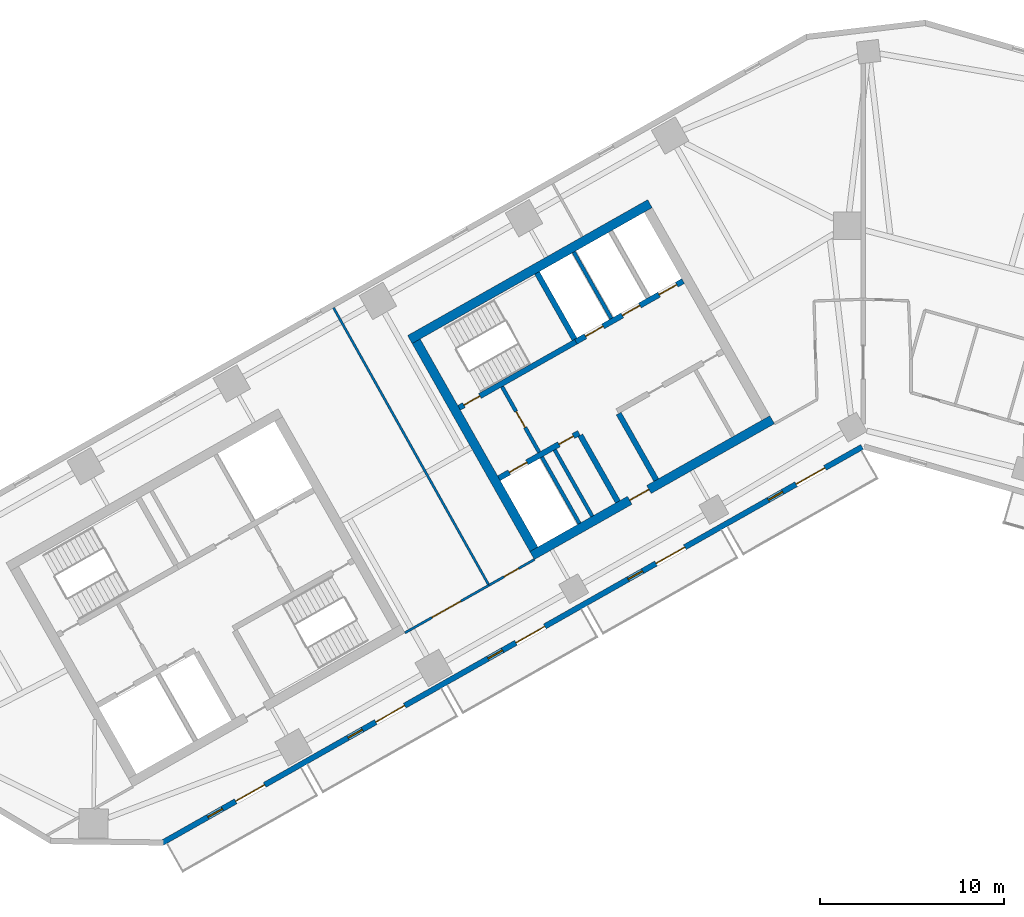
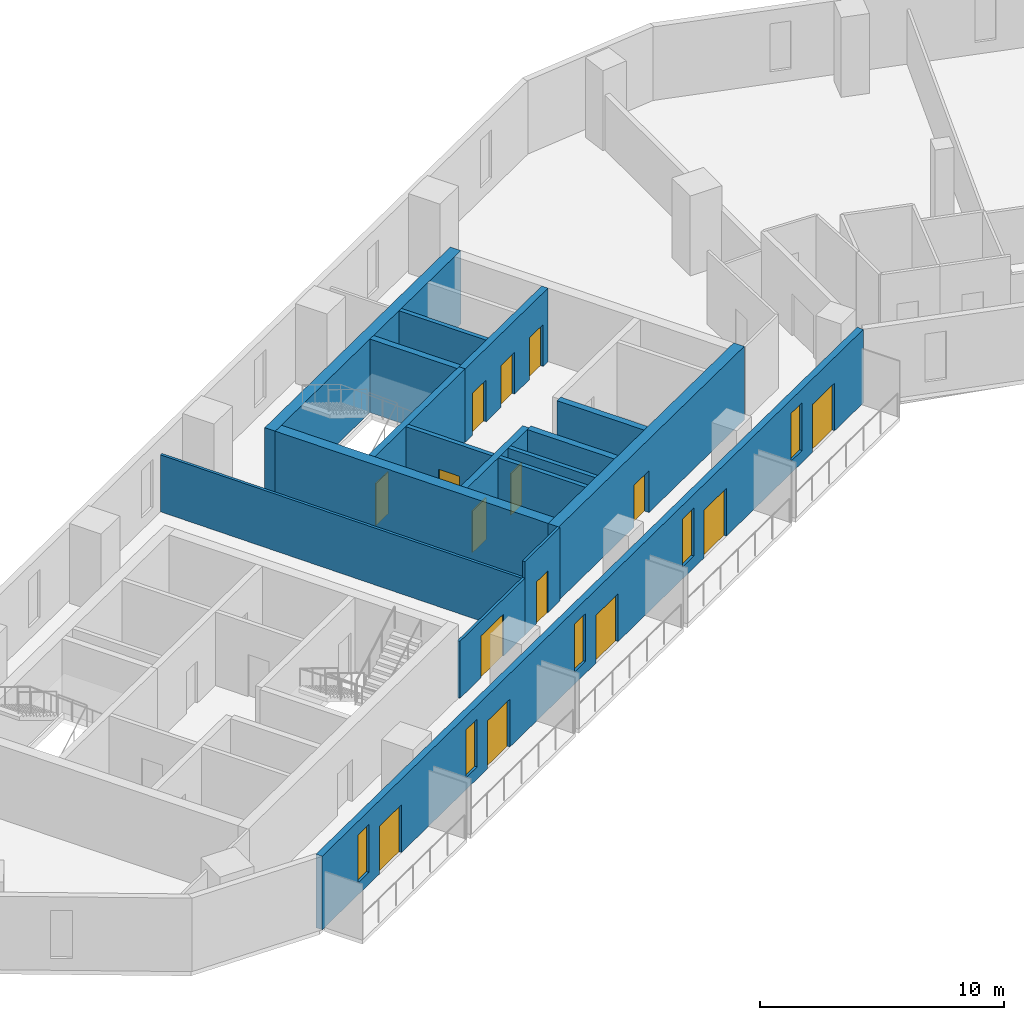
# One storey, part 4 of 9: 17 walls, 15 doors, 5 windows, 20 openings.
"""IFC4 building model written with IfcOpenShell, lengths in metres."""

from ifc_helpers import new_model, si_unit, direction, frame, frame_2d, origin, place, context, subcontext, project, spatial, rectangle, extrude, material, layer, layer_set, type_object, element, fill, save


model = new_model("IFC4")

# Units and contexts
model_context = context("Model", 3, precision=1e-05, world=origin(), true_north=direction((0.0, 1.0)))
body_context = subcontext(model_context, "Body", "Model", "MODEL_VIEW")
ifc_project = project(units=[si_unit("LENGTHUNIT", "METRE"), si_unit("AREAUNIT", "SQUARE_METRE"), si_unit("VOLUMEUNIT", "CUBIC_METRE"), si_unit("PLANEANGLEUNIT", "RADIAN"), si_unit("MASSUNIT", "GRAM", prefix="KILO")], contexts=[model_context])

# Site, building, storey
site_placement = place(None, origin())
site = spatial("IfcSite", under=ifc_project, at=site_placement, CompositionType="ELEMENT")
building_placement = place(site_placement, origin())
building = spatial("IfcBuilding", under=site, at=building_placement, Name="Binnacle Exchange Tower", CompositionType="ELEMENT")
storey_placement = place(building_placement, frame((0.0, 0.0, 182.89990234375)))
storey = spatial("IfcBuildingStorey", under=building, at=storey_placement, Name="L39", CompositionType="ELEMENT", Elevation=182.89990234375)

# Wall, openings, doors
ifc_material_1 = material(Name="Concrete C70/85", Category="concrete")
ifc_layer_1 = layer(ifc_material_1, 0.300048828125)
ifc_layer_set_1 = layer_set([ifc_layer_1], Name="Core wall - front 300")
wall_type_1 = type_object("IfcWallType", Name="Core wall - front 300", PredefinedType="SOLIDWALL", material=ifc_layer_set_1)
wall_1_placement = place(storey_placement, frame((-19.80517578125, 46.26708984375, 0.0), z_axis=(0.0, 0.0, 1.0), x_axis=(0.870353598469, 0.492427267353, 0.0)))
wall_1 = element("IfcWall", 1, at=wall_1_placement, inside=storey, type_object=wall_type_1, Name="Core wall CRWC2", PredefinedType="SOLIDWALL", context=body_context, shape_type="SweptSolid", body=[
    extrude(rectangle(XDim=5.0, YDim=0.300048828125, at=frame_2d((2.5, 0.0))), origin(), (0.0, 0.0, 1.0), 3.68017578125),
])
opening_1_placement = place(wall_1_placement, frame((0.64990234375, 0.0, 0.0)))
opening_1 = element("IfcOpeningElement", 2, at=opening_1_placement, cuts=wall_1, Name="Opening LD14", PredefinedType="OPENING", context=body_context, shape_type="SweptSolid", body=[
    extrude(rectangle(XDim=1.10009765625, YDim=2.10009765625, at=frame_2d((0.550048828125, 1.050048828125))), frame((0.0, 0.159912109375, 0.0), z_axis=(0.0, -1.0, 0.0), x_axis=(1.0, 0.0, 0.0)), (0.0, 0.0, 1.0), 0.320068359375),
])
opening_2_placement = place(wall_1_placement, frame((3.75, 0.0, 0.0)))
opening_2 = element("IfcOpeningElement", 3, at=opening_2_placement, cuts=wall_1, Name="Opening DC14", PredefinedType="OPENING", context=body_context, shape_type="SweptSolid", body=[
    extrude(rectangle(XDim=0.89990234375, YDim=2.10009765625, at=frame_2d((0.449951171875, 1.050048828125))), frame((0.0, 0.159912109375, 0.0), z_axis=(0.0, -1.0, 0.0), x_axis=(1.0, 0.0, 0.0)), (0.0, 0.0, 1.0), 0.320068359375),
])
ifc_material_2 = material(Name="Steel door leaf", Category="steel")
door_type_1 = type_object("IfcDoorType", Name="Fire door - lift landing 1100", OperationType="NOTDEFINED", PredefinedType="DOOR", material=ifc_material_2)
door_1_placement = place(opening_1_placement, origin())
door_1 = element("IfcDoor", 4, at=door_1_placement, inside=storey, type_object=door_type_1, Name="Landing door LD14 L39", OperationType="DOUBLE_DOOR_SLIDING", OverallHeight=2.10009765625, OverallWidth=1.10009765625, PredefinedType="DOOR", context=body_context, shape_type="SweptSolid", body=[
    extrude(rectangle(XDim=1.10009765625, YDim=2.10009765625, at=frame_2d((0.550048828125, 1.050048828125))), frame((0.0, 0.02490234375, 0.0), z_axis=(0.0, -1.0, 0.0), x_axis=(1.0, 0.0, 0.0)), (0.0, 0.0, 1.0), 0.050048828125),
])
fill(opening_1, door_1)
door_type_2 = type_object("IfcDoorType", Name="Fire door 900", OperationType="NOTDEFINED", PredefinedType="DOOR", material=ifc_material_2)
door_2_placement = place(opening_2_placement, frame((0.89990234375, 0.0, 0.0), z_axis=(0.0, 0.0, 1.0), x_axis=(-1.0, 0.0, 0.0)))
door_2 = element("IfcDoor", 5, at=door_2_placement, inside=storey, type_object=door_type_2, Name="Core room door IT STORE", OperationType="SINGLE_SWING_LEFT", OverallHeight=2.10009765625, OverallWidth=0.89990234375, PredefinedType="DOOR", context=body_context, shape_type="SweptSolid", body=[
    extrude(rectangle(XDim=0.89990234375, YDim=2.10009765625, at=frame_2d((0.449951171875, 1.050048828125))), frame((0.0, 0.02490234375, 0.0), z_axis=(0.0, -1.0, 0.0), x_axis=(1.0, 0.0, 0.0)), (0.0, 0.0, 1.0), 0.050048828125),
])
fill(opening_2, door_2)

wall_2_placement = place(storey_placement, frame((-15.6181640625, 53.69140625, 0.0), z_axis=(0.0, 0.0, 1.0), x_axis=(0.870363236066, 0.492410232738, 0.0)))
wall_2 = element("IfcWall", 6, at=wall_2_placement, inside=storey, type_object=wall_type_1, Name="Core wall CRWC5", PredefinedType="SOLIDWALL", context=body_context, shape_type="SweptSolid", body=[
    extrude(rectangle(XDim=6.699951171875, YDim=0.300048828125, at=frame_2d((3.35009765625, 0.0))), origin(), (0.0, 0.0, 1.0), 3.68017578125),
])
opening_3_placement = place(wall_2_placement, frame((0.60009765625, 0.0, 0.0)))
opening_3 = element("IfcOpeningElement", 7, at=opening_3_placement, cuts=wall_2, Name="Opening LD5", PredefinedType="OPENING", context=body_context, shape_type="SweptSolid", body=[
    extrude(rectangle(XDim=1.10009765625, YDim=2.10009765625, at=frame_2d((0.550048828125, 1.050048828125))), frame((0.0, 0.159912109375, 0.0), z_axis=(0.0, -1.0, 0.0), x_axis=(1.0, 0.0, 0.0)), (0.0, 0.0, 1.0), 0.320068359375),
])
opening_4_placement = place(wall_2_placement, frame((2.89990234375, 0.0, 0.0)))
opening_4 = element("IfcOpeningElement", 8, at=opening_4_placement, cuts=wall_2, Name="Opening LD6", PredefinedType="OPENING", context=body_context, shape_type="SweptSolid", body=[
    extrude(rectangle(XDim=1.10009765625, YDim=2.10009765625, at=frame_2d((0.550048828125, 1.050048828125))), frame((0.0, 0.159912109375, 0.0), z_axis=(0.0, -1.0, 0.0), x_axis=(1.0, 0.0, 0.0)), (0.0, 0.0, 1.0), 0.320068359375),
])
opening_5_placement = place(wall_2_placement, frame((5.199951171875, 0.0, 0.0)))
opening_5 = element("IfcOpeningElement", 9, at=opening_5_placement, cuts=wall_2, Name="Opening LD7", PredefinedType="OPENING", context=body_context, shape_type="SweptSolid", body=[
    extrude(rectangle(XDim=1.10009765625, YDim=2.10009765625, at=frame_2d((0.550048828125, 1.050048828125))), frame((0.0, 0.159912109375, 0.0), z_axis=(0.0, -1.0, 0.0), x_axis=(1.0, 0.0, 0.0)), (0.0, 0.0, 1.0), 0.320068359375),
])
door_3_placement = place(opening_3_placement, origin())
door_3 = element("IfcDoor", 10, at=door_3_placement, inside=storey, type_object=door_type_1, Name="Landing door LD5 L39", OperationType="DOUBLE_DOOR_SLIDING", OverallHeight=2.10009765625, OverallWidth=1.10009765625, PredefinedType="DOOR", context=body_context, shape_type="SweptSolid", body=[
    extrude(rectangle(XDim=1.10009765625, YDim=2.10009765625, at=frame_2d((0.550048828125, 1.050048828125))), frame((0.0, 0.02490234375, 0.0), z_axis=(0.0, -1.0, 0.0), x_axis=(1.0, 0.0, 0.0)), (0.0, 0.0, 1.0), 0.050048828125),
])
fill(opening_3, door_3)
door_4_placement = place(opening_4_placement, origin())
door_4 = element("IfcDoor", 11, at=door_4_placement, inside=storey, type_object=door_type_1, Name="Landing door LD6 L39", OperationType="DOUBLE_DOOR_SLIDING", OverallHeight=2.10009765625, OverallWidth=1.10009765625, PredefinedType="DOOR", context=body_context, shape_type="SweptSolid", body=[
    extrude(rectangle(XDim=1.10009765625, YDim=2.10009765625, at=frame_2d((0.550048828125, 1.050048828125))), frame((0.0, 0.02490234375, 0.0), z_axis=(0.0, -1.0, 0.0), x_axis=(1.0, 0.0, 0.0)), (0.0, 0.0, 1.0), 0.050048828125),
])
fill(opening_4, door_4)
door_5_placement = place(opening_5_placement, origin())
door_5 = element("IfcDoor", 12, at=door_5_placement, inside=storey, type_object=door_type_1, Name="Landing door LD7 L39", OperationType="DOUBLE_DOOR_SLIDING", OverallHeight=2.10009765625, OverallWidth=1.10009765625, PredefinedType="DOOR", context=body_context, shape_type="SweptSolid", body=[
    extrude(rectangle(XDim=1.10009765625, YDim=2.10009765625, at=frame_2d((0.550048828125, 1.050048828125))), frame((0.0, 0.02490234375, 0.0), z_axis=(0.0, -1.0, 0.0), x_axis=(1.0, 0.0, 0.0)), (0.0, 0.0, 1.0), 0.050048828125),
])
fill(opening_5, door_5)

# Walls
for number, where, z_axis, x_axis, name in (
    (13, (-15.37939453125, 48.5986328125, 0.0), (0.0, 0.0, 1.0), (0.492396453737, -0.870371031427, 0.0), "Core wall CRWC13"),
    (14, (-13.29052734375, 49.780517578125, 0.0), (0.0, 0.0, 1.0), (0.492396453737, -0.870371031427, 0.0), "Core wall CRWC15"),
):
    element("IfcWall", number, at=place(storey_placement, frame(where, z_axis=z_axis, x_axis=x_axis)), inside=storey, type_object=wall_type_1, Name=name, PredefinedType="SOLIDWALL", context=body_context, shape_type="SweptSolid", body=[
        extrude(rectangle(XDim=4.14990234375, YDim=0.300048828125, at=frame_2d((2.074951171875, 0.0))), origin(), (0.0, 0.0, 1.0), 3.68017578125),
    ])

# Wall, opening, door
ifc_layer_2 = layer(ifc_material_1, 0.5)
ifc_layer_set_2 = layer_set([ifc_layer_2], Name="Core wall - outer 500")
wall_type_2 = type_object("IfcWallType", Name="Core wall - outer 500", PredefinedType="SOLIDWALL", material=ifc_layer_set_2)
wall_3_placement = place(storey_placement, frame((-17.999755859375, 42.060791015625, 0.0), z_axis=(0.0, 0.0, 1.0), x_axis=(0.870356627484, 0.492421913601, 0.0)))
wall_3 = element("IfcWall", 15, at=wall_3_placement, inside=storey, type_object=wall_type_2, Name="Core wall CRWC1", PredefinedType="SOLIDWALL", context=body_context, shape_type="SweptSolid", body=[
    extrude(rectangle(XDim=14.999755859375, YDim=0.5, at=frame_2d((7.5, 0.0))), origin(), (0.0, 0.0, 1.0), 3.68017578125),
])
opening_6_placement = place(wall_3_placement, frame((6.10009765625, 0.0, 0.0)))
opening_6 = element("IfcOpeningElement", 16, at=opening_6_placement, cuts=wall_3, Name="Opening DC7", PredefinedType="OPENING", context=body_context, shape_type="SweptSolid", body=[
    extrude(rectangle(XDim=1.199951171875, YDim=2.10009765625, at=frame_2d((0.60009765625, 1.050048828125))), frame((0.0, 0.260009765625, 0.0), z_axis=(0.0, -1.0, 0.0), x_axis=(1.0, 0.0, 0.0)), (0.0, 0.0, 1.0), 0.52001953125),
])
door_type_3 = type_object("IfcDoorType", Name="Fire door 1200", OperationType="NOTDEFINED", PredefinedType="DOOR", material=ifc_material_2)
door_6_placement = place(opening_6_placement, frame((1.199951171875, 0.0, 0.0), z_axis=(0.0, 0.0, 1.0), x_axis=(-1.0, 0.0, 0.0)))
door_6 = element("IfcDoor", 17, at=door_6_placement, inside=storey, type_object=door_type_3, Name="Lift lobby entrance door core C", OperationType="SINGLE_SWING_RIGHT", OverallHeight=2.10009765625, OverallWidth=1.199951171875, PredefinedType="DOOR", context=body_context, shape_type="SweptSolid", body=[
    extrude(rectangle(XDim=1.199951171875, YDim=2.10009765625, at=frame_2d((0.60009765625, 1.050048828125))), frame((0.0, 0.02490234375, 0.0), z_axis=(0.0, -1.0, 0.0), x_axis=(1.0, 0.0, 0.0)), (0.0, 0.0, 1.0), 0.050048828125),
])
fill(opening_6, door_6)

# Walls
wall_4_placement = place(storey_placement, frame((-24.6474609375, 53.810546875, 0.0), z_axis=(0.0, 0.0, 1.0), x_axis=(0.87034965173, 0.492434243055, 0.0)))
element("IfcWall", 18, at=wall_4_placement, inside=storey, type_object=wall_type_2, Name="Core wall CRWC6", PredefinedType="SOLIDWALL", context=body_context, shape_type="SweptSolid", body=[
    extrude(rectangle(XDim=15.0, YDim=0.5, at=frame_2d((7.5, 0.0))), origin(), (0.0, 0.0, 1.0), 3.68017578125),
])
wall_5_placement = place(storey_placement, frame((-24.306884765625, 53.716064453125, 0.0), z_axis=(0.0, 0.0, 1.0), x_axis=(0.492427267353, -0.870353598469, 0.0)))
element("IfcWall", 19, at=wall_5_placement, inside=storey, type_object=wall_type_2, Name="Core wall CRWC7", PredefinedType="SOLIDWALL", context=body_context, shape_type="SweptSolid", body=[
    extrude(rectangle(XDim=13.0, YDim=0.5, at=frame_2d((6.5, 0.0))), origin(), (0.0, 0.0, 1.0), 3.68017578125),
])

# Wall, opening, door
ifc_layer_3 = layer(ifc_material_1, 0.300048828125)
ifc_layer_set_3 = layer_set([ifc_layer_3], Name="Core wall - stair 300")
wall_type_3 = type_object("IfcWallType", Name="Core wall - stair 300", PredefinedType="SOLIDWALL", material=ifc_layer_set_3)
wall_6_placement = place(storey_placement, frame((-21.9716796875, 50.0966796875, 0.0), z_axis=(0.0, 0.0, 1.0), x_axis=(0.870350976978, 0.492431900747, 0.0)))
wall_6 = element("IfcWall", 20, at=wall_6_placement, inside=storey, type_object=wall_type_3, Name="Core wall CRWC4", PredefinedType="SOLIDWALL", context=body_context, shape_type="SweptSolid", body=[
    extrude(rectangle(XDim=7.300048828125, YDim=0.300048828125, at=frame_2d((3.64990234375, 0.0))), origin(), (0.0, 0.0, 1.0), 3.68017578125),
])
opening_7_placement = place(wall_6_placement, frame((0.300048828125, 0.0, 0.0)))
opening_7 = element("IfcOpeningElement", 21, at=opening_7_placement, cuts=wall_6, Name="Opening DC1", PredefinedType="OPENING", context=body_context, shape_type="SweptSolid", body=[
    extrude(rectangle(XDim=1.0, YDim=2.10009765625, at=frame_2d((0.5, 1.050048828125))), frame((0.0, 0.159912109375, 0.0), z_axis=(0.0, -1.0, 0.0), x_axis=(1.0, 0.0, 0.0)), (0.0, 0.0, 1.0), 0.320068359375),
])
door_type_4 = type_object("IfcDoorType", Name="Fire door 1000", OperationType="NOTDEFINED", PredefinedType="DOOR", material=ifc_material_2)
door_7_placement = place(opening_7_placement, origin())
door_7 = element("IfcDoor", 22, at=door_7_placement, inside=storey, type_object=door_type_4, Name="Stair door ST-C1", OperationType="SINGLE_SWING_LEFT", OverallHeight=2.10009765625, OverallWidth=1.0, PredefinedType="DOOR", context=body_context, shape_type="SweptSolid", body=[
    extrude(rectangle(XDim=1.0, YDim=2.10009765625, at=frame_2d((0.5, 1.050048828125))), frame((0.0, 0.02490234375, 0.0), z_axis=(0.0, -1.0, 0.0), x_axis=(1.0, 0.0, 0.0)), (0.0, 0.0, 1.0), 0.050048828125),
])
fill(opening_7, door_7)

# Wall
wall_7_placement = place(storey_placement, frame((-17.735595703125, 57.433837890625, 0.0), z_axis=(0.0, 0.0, 1.0), x_axis=(0.492421666909, -0.870356767055, 0.0)))
element("IfcWall", 23, at=wall_7_placement, inside=storey, type_object=wall_type_3, Name="Core wall CRWC14", PredefinedType="SOLIDWALL", context=body_context, shape_type="SweptSolid", body=[
    extrude(rectangle(XDim=4.14990234375, YDim=0.300048828125, at=frame_2d((2.074951171875, 0.0))), origin(), (0.0, 0.0, 1.0), 3.68017578125),
])

# Wall, openings, doors, windows
ifc_material_3 = material(Name="Bronze aluminium cladding", Category="aluminium")
ifc_layer_4 = layer(ifc_material_3, 0.300048828125)
ifc_layer_set_4 = layer_set([ifc_layer_4], Name="External wall - spandrel 300")
wall_type_4 = type_object("IfcWallType", Name="External wall - spandrel 300", PredefinedType="STANDARD", material=ifc_layer_set_4)
wall_8_placement = place(storey_placement, frame((-0.0546875, 47.968994140625, 0.0), z_axis=(0.0, 0.0, 1.0), x_axis=(-0.870355730478, -0.492423499058, 0.0)))
wall_8 = element("IfcWall", 24, at=wall_8_placement, inside=storey, type_object=wall_type_4, Name="External wall EW-G01 L39", PredefinedType="STANDARD", context=body_context, shape_type="SweptSolid", body=[
    extrude(rectangle(XDim=43.750244140625, YDim=0.300048828125, at=frame_2d((21.875, 0.0))), origin(), (0.0, 0.0, 1.0), 3.68017578125),
])
opening_8_placement = place(wall_8_placement, frame((39.976806640625, 0.0, 0.60009765625)))
opening_8 = element("IfcOpeningElement", 25, at=opening_8_placement, cuts=wall_8, Name="Opening WS3", PredefinedType="OPENING", context=body_context, shape_type="SweptSolid", body=[
    extrude(rectangle(XDim=0.89990234375, YDim=2.39990234375, at=frame_2d((0.449951171875, 1.199951171875))), frame((0.0, 0.159912109375, 0.0), z_axis=(0.0, -1.0, 0.0), x_axis=(1.0, 0.0, 0.0)), (0.0, 0.0, 1.0), 0.320068359375),
])
opening_9_placement = place(wall_8_placement, frame((37.338134765625, 0.0, 0.0)))
opening_9 = element("IfcOpeningElement", 26, at=opening_9_placement, cuts=wall_8, Name="Opening D-FS11-01", PredefinedType="OPENING", context=body_context, shape_type="SweptSolid", body=[
    extrude(rectangle(XDim=1.800048828125, YDim=2.39990234375, at=frame_2d((0.89990234375, 1.199951171875))), frame((0.0, 0.159912109375, 0.0), z_axis=(0.0, -1.0, 0.0), x_axis=(1.0, 0.0, 0.0)), (0.0, 0.0, 1.0), 0.320068359375),
])
opening_10_placement = place(wall_8_placement, frame((31.222412109375, 0.0, 0.60009765625)))
opening_10 = element("IfcOpeningElement", 27, at=opening_10_placement, cuts=wall_8, Name="Opening WS3", PredefinedType="OPENING", context=body_context, shape_type="SweptSolid", body=[
    extrude(rectangle(XDim=0.89990234375, YDim=2.39990234375, at=frame_2d((0.449951171875, 1.199951171875))), frame((0.0, 0.159912109375, 0.0), z_axis=(0.0, -1.0, 0.0), x_axis=(1.0, 0.0, 0.0)), (0.0, 0.0, 1.0), 0.320068359375),
])
opening_11_placement = place(wall_8_placement, frame((28.583740234375, 0.0, 0.0)))
opening_11 = element("IfcOpeningElement", 28, at=opening_11_placement, cuts=wall_8, Name="Opening D-FS11-02", PredefinedType="OPENING", context=body_context, shape_type="SweptSolid", body=[
    extrude(rectangle(XDim=1.800048828125, YDim=2.39990234375, at=frame_2d((0.89990234375, 1.199951171875))), frame((0.0, 0.159912109375, 0.0), z_axis=(0.0, -1.0, 0.0), x_axis=(1.0, 0.0, 0.0)), (0.0, 0.0, 1.0), 0.320068359375),
])
opening_12_placement = place(wall_8_placement, frame((22.4677734375, 0.0, 0.60009765625)))
opening_12 = element("IfcOpeningElement", 29, at=opening_12_placement, cuts=wall_8, Name="Opening WS3", PredefinedType="OPENING", context=body_context, shape_type="SweptSolid", body=[
    extrude(rectangle(XDim=0.89990234375, YDim=2.39990234375, at=frame_2d((0.449951171875, 1.199951171875))), frame((0.0, 0.159912109375, 0.0), z_axis=(0.0, -1.0, 0.0), x_axis=(1.0, 0.0, 0.0)), (0.0, 0.0, 1.0), 0.320068359375),
])
opening_13_placement = place(wall_8_placement, frame((19.8291015625, 0.0, 0.0)))
opening_13 = element("IfcOpeningElement", 30, at=opening_13_placement, cuts=wall_8, Name="Opening D-FS11-03", PredefinedType="OPENING", context=body_context, shape_type="SweptSolid", body=[
    extrude(rectangle(XDim=1.800048828125, YDim=2.39990234375, at=frame_2d((0.89990234375, 1.199951171875))), frame((0.0, 0.159912109375, 0.0), z_axis=(0.0, -1.0, 0.0), x_axis=(1.0, 0.0, 0.0)), (0.0, 0.0, 1.0), 0.320068359375),
])
opening_14_placement = place(wall_8_placement, frame((13.713134765625, 0.0, 0.60009765625)))
opening_14 = element("IfcOpeningElement", 31, at=opening_14_placement, cuts=wall_8, Name="Opening WS3", PredefinedType="OPENING", context=body_context, shape_type="SweptSolid", body=[
    extrude(rectangle(XDim=0.89990234375, YDim=2.39990234375, at=frame_2d((0.449951171875, 1.199951171875))), frame((0.0, 0.159912109375, 0.0), z_axis=(0.0, -1.0, 0.0), x_axis=(1.0, 0.0, 0.0)), (0.0, 0.0, 1.0), 0.320068359375),
])
opening_15_placement = place(wall_8_placement, frame((11.07470703125, 0.0, 0.0)))
opening_15 = element("IfcOpeningElement", 32, at=opening_15_placement, cuts=wall_8, Name="Opening D-FS11-04", PredefinedType="OPENING", context=body_context, shape_type="SweptSolid", body=[
    extrude(rectangle(XDim=1.800048828125, YDim=2.39990234375, at=frame_2d((0.89990234375, 1.199951171875))), frame((0.0, 0.159912109375, 0.0), z_axis=(0.0, -1.0, 0.0), x_axis=(1.0, 0.0, 0.0)), (0.0, 0.0, 1.0), 0.320068359375),
])
opening_16_placement = place(wall_8_placement, frame((4.958740234375, 0.0, 0.60009765625)))
opening_16 = element("IfcOpeningElement", 33, at=opening_16_placement, cuts=wall_8, Name="Opening WS3", PredefinedType="OPENING", context=body_context, shape_type="SweptSolid", body=[
    extrude(rectangle(XDim=0.89990234375, YDim=2.39990234375, at=frame_2d((0.449951171875, 1.199951171875))), frame((0.0, 0.159912109375, 0.0), z_axis=(0.0, -1.0, 0.0), x_axis=(1.0, 0.0, 0.0)), (0.0, 0.0, 1.0), 0.320068359375),
])
opening_17_placement = place(wall_8_placement, frame((2.320068359375, 0.0, 0.0)))
opening_17 = element("IfcOpeningElement", 34, at=opening_17_placement, cuts=wall_8, Name="Opening D-FS11-05", PredefinedType="OPENING", context=body_context, shape_type="SweptSolid", body=[
    extrude(rectangle(XDim=1.800048828125, YDim=2.39990234375, at=frame_2d((0.89990234375, 1.199951171875))), frame((0.0, 0.159912109375, 0.0), z_axis=(0.0, -1.0, 0.0), x_axis=(1.0, 0.0, 0.0)), (0.0, 0.0, 1.0), 0.320068359375),
])
ifc_material_4 = material(Name="Bronze anodised aluminium frame", Category="aluminium")
door_type_5 = type_object("IfcDoorType", Name="DB DOOR 1800x2400", OperationType="DOUBLE_DOOR_SINGLE_SWING", PredefinedType="DOOR", material=ifc_material_4)
door_8_placement = place(opening_9_placement, origin())
door_8 = element("IfcDoor", 35, at=door_8_placement, inside=storey, type_object=door_type_5, Name="Door D-FS11-01 L39", OperationType="DOUBLE_DOOR_SINGLE_SWING", OverallHeight=2.39990234375, OverallWidth=1.800048828125, PredefinedType="DOOR", context=body_context, shape_type="SweptSolid", body=[
    extrude(rectangle(XDim=1.800048828125, YDim=2.39990234375, at=frame_2d((0.89990234375, 1.199951171875))), frame((0.0, 0.02490234375, 0.0), z_axis=(0.0, -1.0, 0.0), x_axis=(1.0, 0.0, 0.0)), (0.0, 0.0, 1.0), 0.050048828125),
])
fill(opening_9, door_8)
door_9_placement = place(opening_11_placement, origin())
door_9 = element("IfcDoor", 36, at=door_9_placement, inside=storey, type_object=door_type_5, Name="Door D-FS11-02 L39", OperationType="DOUBLE_DOOR_SINGLE_SWING", OverallHeight=2.39990234375, OverallWidth=1.800048828125, PredefinedType="DOOR", context=body_context, shape_type="SweptSolid", body=[
    extrude(rectangle(XDim=1.800048828125, YDim=2.39990234375, at=frame_2d((0.89990234375, 1.199951171875))), frame((0.0, 0.02490234375, 0.0), z_axis=(0.0, -1.0, 0.0), x_axis=(1.0, 0.0, 0.0)), (0.0, 0.0, 1.0), 0.050048828125),
])
fill(opening_11, door_9)
door_10_placement = place(opening_13_placement, origin())
door_10 = element("IfcDoor", 37, at=door_10_placement, inside=storey, type_object=door_type_5, Name="Door D-FS11-03 L39", OperationType="DOUBLE_DOOR_SINGLE_SWING", OverallHeight=2.39990234375, OverallWidth=1.800048828125, PredefinedType="DOOR", context=body_context, shape_type="SweptSolid", body=[
    extrude(rectangle(XDim=1.800048828125, YDim=2.39990234375, at=frame_2d((0.89990234375, 1.199951171875))), frame((0.0, 0.02490234375, 0.0), z_axis=(0.0, -1.0, 0.0), x_axis=(1.0, 0.0, 0.0)), (0.0, 0.0, 1.0), 0.050048828125),
])
fill(opening_13, door_10)
door_11_placement = place(opening_15_placement, origin())
door_11 = element("IfcDoor", 38, at=door_11_placement, inside=storey, type_object=door_type_5, Name="Door D-FS11-04 L39", OperationType="DOUBLE_DOOR_SINGLE_SWING", OverallHeight=2.39990234375, OverallWidth=1.800048828125, PredefinedType="DOOR", context=body_context, shape_type="SweptSolid", body=[
    extrude(rectangle(XDim=1.800048828125, YDim=2.39990234375, at=frame_2d((0.89990234375, 1.199951171875))), frame((0.0, 0.02490234375, 0.0), z_axis=(0.0, -1.0, 0.0), x_axis=(1.0, 0.0, 0.0)), (0.0, 0.0, 1.0), 0.050048828125),
])
fill(opening_15, door_11)
door_12_placement = place(opening_17_placement, origin())
door_12 = element("IfcDoor", 39, at=door_12_placement, inside=storey, type_object=door_type_5, Name="Door D-FS11-05 L39", OperationType="DOUBLE_DOOR_SINGLE_SWING", OverallHeight=2.39990234375, OverallWidth=1.800048828125, PredefinedType="DOOR", context=body_context, shape_type="SweptSolid", body=[
    extrude(rectangle(XDim=1.800048828125, YDim=2.39990234375, at=frame_2d((0.89990234375, 1.199951171875))), frame((0.0, 0.02490234375, 0.0), z_axis=(0.0, -1.0, 0.0), x_axis=(1.0, 0.0, 0.0)), (0.0, 0.0, 1.0), 0.050048828125),
])
fill(opening_17, door_12)
window_type = type_object("IfcWindowType", Name="WS3 WINDOW 900x2400", PartitioningType="SINGLE_PANEL", PredefinedType="WINDOW", material=ifc_material_4)
window_1_placement = place(opening_8_placement, origin())
window_1 = element("IfcWindow", 40, at=window_1_placement, inside=storey, type_object=window_type, Name="Window WS3 L39", OverallHeight=2.39990234375, OverallWidth=0.89990234375, PartitioningType="SINGLE_PANEL", PredefinedType="WINDOW", context=body_context, shape_type="SweptSolid", body=[
    extrude(rectangle(XDim=0.89990234375, YDim=2.39990234375, at=frame_2d((0.449951171875, 1.199951171875))), frame((0.0, 0.030029296875, 0.0), z_axis=(0.0, -1.0, 0.0), x_axis=(1.0, 0.0, 0.0)), (0.0, 0.0, 1.0), 0.06005859375),
])
fill(opening_8, window_1)
window_2_placement = place(opening_10_placement, origin())
window_2 = element("IfcWindow", 41, at=window_2_placement, inside=storey, type_object=window_type, Name="Window WS3 L39", OverallHeight=2.39990234375, OverallWidth=0.89990234375, PartitioningType="SINGLE_PANEL", PredefinedType="WINDOW", context=body_context, shape_type="SweptSolid", body=[
    extrude(rectangle(XDim=0.89990234375, YDim=2.39990234375, at=frame_2d((0.449951171875, 1.199951171875))), frame((0.0, 0.030029296875, 0.0), z_axis=(0.0, -1.0, 0.0), x_axis=(1.0, 0.0, 0.0)), (0.0, 0.0, 1.0), 0.06005859375),
])
fill(opening_10, window_2)
window_3_placement = place(opening_12_placement, origin())
window_3 = element("IfcWindow", 42, at=window_3_placement, inside=storey, type_object=window_type, Name="Window WS3 L39", OverallHeight=2.39990234375, OverallWidth=0.89990234375, PartitioningType="SINGLE_PANEL", PredefinedType="WINDOW", context=body_context, shape_type="SweptSolid", body=[
    extrude(rectangle(XDim=0.89990234375, YDim=2.39990234375, at=frame_2d((0.449951171875, 1.199951171875))), frame((0.0, 0.030029296875, 0.0), z_axis=(0.0, -1.0, 0.0), x_axis=(1.0, 0.0, 0.0)), (0.0, 0.0, 1.0), 0.06005859375),
])
fill(opening_12, window_3)
window_4_placement = place(opening_14_placement, origin())
window_4 = element("IfcWindow", 43, at=window_4_placement, inside=storey, type_object=window_type, Name="Window WS3 L39", OverallHeight=2.39990234375, OverallWidth=0.89990234375, PartitioningType="SINGLE_PANEL", PredefinedType="WINDOW", context=body_context, shape_type="SweptSolid", body=[
    extrude(rectangle(XDim=0.89990234375, YDim=2.39990234375, at=frame_2d((0.449951171875, 1.199951171875))), frame((0.0, 0.030029296875, 0.0), z_axis=(0.0, -1.0, 0.0), x_axis=(1.0, 0.0, 0.0)), (0.0, 0.0, 1.0), 0.06005859375),
])
fill(opening_14, window_4)
window_5_placement = place(opening_16_placement, origin())
window_5 = element("IfcWindow", 44, at=window_5_placement, inside=storey, type_object=window_type, Name="Window WS3 L39", OverallHeight=2.39990234375, OverallWidth=0.89990234375, PartitioningType="SINGLE_PANEL", PredefinedType="WINDOW", context=body_context, shape_type="SweptSolid", body=[
    extrude(rectangle(XDim=0.89990234375, YDim=2.39990234375, at=frame_2d((0.449951171875, 1.199951171875))), frame((0.0, 0.030029296875, 0.0), z_axis=(0.0, -1.0, 0.0), x_axis=(1.0, 0.0, 0.0)), (0.0, 0.0, 1.0), 0.06005859375),
])
fill(opening_16, window_5)

# Wall, opening, door
ifc_material_5 = material(Name="Masonry block wall", Category="masonry")
ifc_layer_5 = layer(ifc_material_5, 0.199951171875)
ifc_layer_set_5 = layer_set([ifc_layer_5], Name="Fire wall - vestibule 200")
wall_type_5 = type_object("IfcWallType", Name="Fire wall - vestibule 200", PredefinedType="PARTITIONING", material=ifc_layer_set_5)
wall_9_placement = place(storey_placement, frame((-19.635009765625, 51.246337890625, 0.0), z_axis=(0.0, 0.0, 1.0), x_axis=(0.492408451753, -0.87036424366, 0.0)))
wall_9 = element("IfcWall", 45, at=wall_9_placement, inside=storey, type_object=wall_type_5, Name="Core wall CRWC10", PredefinedType="PARTITIONING", context=body_context, shape_type="SweptSolid", body=[
    extrude(rectangle(XDim=4.099853515625, YDim=0.199951171875, at=frame_2d((2.0498046875, 0.0))), origin(), (0.0, 0.0, 1.0), 3.68017578125),
])
opening_18_placement = place(wall_9_placement, frame((1.550048828125, 0.0, 0.0)))
opening_18 = element("IfcOpeningElement", 46, at=opening_18_placement, cuts=wall_9, Name="Opening DC3", PredefinedType="OPENING", context=body_context, shape_type="SweptSolid", body=[
    extrude(rectangle(XDim=1.0, YDim=2.10009765625, at=frame_2d((0.5, 1.050048828125))), frame((0.0, 0.10986328125, 0.0), z_axis=(0.0, -1.0, 0.0), x_axis=(1.0, 0.0, 0.0)), (0.0, 0.0, 1.0), 0.219970703125),
])
door_13_placement = place(opening_18_placement, frame((1.0, 0.0, 0.0), z_axis=(0.0, 0.0, 1.0), x_axis=(-1.0, 0.0, 0.0)))
door_13 = element("IfcDoor", 47, at=door_13_placement, inside=storey, type_object=door_type_4, Name="Vestibule door VEST-W", OperationType="SINGLE_SWING_RIGHT", OverallHeight=2.10009765625, OverallWidth=1.0, PredefinedType="DOOR", context=body_context, shape_type="SweptSolid", body=[
    extrude(rectangle(XDim=1.0, YDim=2.10009765625, at=frame_2d((0.5, 1.050048828125))), frame((0.0, 0.02490234375, 0.0), z_axis=(0.0, -1.0, 0.0), x_axis=(1.0, 0.0, 0.0)), (0.0, 0.0, 1.0), 0.050048828125),
])
fill(opening_18, door_13)

# Wall
ifc_material_6 = material(Name="Gypsum partition")
ifc_layer_6 = layer(ifc_material_6, 0.125)
ifc_layer_set_6 = layer_set([ifc_layer_6], Name="Partition 125")
wall_type_6 = type_object("IfcWallType", Name="Partition 125", PredefinedType="PARTITIONING", material=ifc_layer_set_6)
wall_10_placement = place(storey_placement, frame((-28.799072265625, 55.533935546875, 0.0), z_axis=(0.0, 0.0, 1.0), x_axis=(0.488587464104, -0.872514922463, 0.0)))
element("IfcWall", 48, at=wall_10_placement, inside=storey, type_object=wall_type_6, Name="Partition W03", PredefinedType="PARTITIONING", context=body_context, shape_type="SweptSolid", body=[
    extrude(rectangle(XDim=17.294677734375, YDim=0.125, at=frame_2d((8.6474609375, 0.0))), origin(), (0.0, 0.0, 1.0), 2.85205078125),
])

# Wall, opening, door
wall_11_placement = place(storey_placement, frame((-24.9189453125, 37.85888671875, 0.0), z_axis=(0.0, 0.0, 1.0), x_axis=(0.870378311622, 0.492383584879, 0.0)))
wall_11 = element("IfcWall", 49, at=wall_11_placement, inside=storey, type_object=wall_type_6, Name="Partition W04", PredefinedType="PARTITIONING", context=body_context, shape_type="SweptSolid", body=[
    extrude(rectangle(XDim=5.25048828125, YDim=0.125, at=frame_2d((2.625244140625, 0.0))), origin(), (0.0, 0.0, 1.0), 2.85205078125),
])
opening_19_placement = place(wall_11_placement, frame((1.699951171875, 0.0, 0.0)))
opening_19 = element("IfcOpeningElement", 50, at=opening_19_placement, cuts=wall_11, Name="Opening DL38-01", PredefinedType="OPENING", context=body_context, shape_type="SweptSolid", body=[
    extrude(rectangle(XDim=1.800048828125, YDim=2.10009765625, at=frame_2d((0.89990234375, 1.050048828125))), frame((0.0, 0.072509765625, 0.0), z_axis=(0.0, -1.0, 0.0), x_axis=(1.0, 0.0, 0.0)), (0.0, 0.0, 1.0), 0.14501953125),
])
ifc_material_7 = material(Name="Timber door leaf", Category="wood")
door_type_6 = type_object("IfcDoorType", Name="Double door 1800", OperationType="NOTDEFINED", PredefinedType="DOOR", material=ifc_material_7)
door_14_placement = place(opening_19_placement, origin())
door_14 = element("IfcDoor", 51, at=door_14_placement, inside=storey, type_object=door_type_6, Name="Door DL38-01", OperationType="DOUBLE_DOOR_SINGLE_SWING", OverallHeight=2.10009765625, OverallWidth=1.800048828125, PredefinedType="DOOR", context=body_context, shape_type="SweptSolid", body=[
    extrude(rectangle(XDim=1.800048828125, YDim=2.10009765625, at=frame_2d((0.89990234375, 1.050048828125))), frame((0.0, 0.02490234375, 0.0), z_axis=(0.0, -1.0, 0.0), x_axis=(1.0, 0.0, 0.0)), (0.0, 0.0, 1.0), 0.050048828125),
])
fill(opening_19, door_14)

wall_12_placement = place(storey_placement, frame((-20.34912109375, 40.444091796875, 0.0), z_axis=(0.0, 0.0, 1.0), x_axis=(0.87031941539, 0.492487680247, 0.0)))
wall_12 = element("IfcWall", 52, at=wall_12_placement, inside=storey, type_object=wall_type_6, Name="Partition W05", PredefinedType="PARTITIONING", context=body_context, shape_type="SweptSolid", body=[
    extrude(rectangle(XDim=2.840576171875, YDim=0.125, at=frame_2d((1.42041015625, 0.0))), origin(), (0.0, 0.0, 1.0), 3.68017578125),
])
opening_20_placement = place(wall_12_placement, frame((0.949951171875, 0.0, 0.0)))
opening_20 = element("IfcOpeningElement", 53, at=opening_20_placement, cuts=wall_12, Name="Opening DL38-02", PredefinedType="OPENING", context=body_context, shape_type="SweptSolid", body=[
    extrude(rectangle(XDim=0.89990234375, YDim=2.10009765625, at=frame_2d((0.449951171875, 1.050048828125))), frame((0.0, 0.072509765625, 0.0), z_axis=(0.0, -1.0, 0.0), x_axis=(1.0, 0.0, 0.0)), (0.0, 0.0, 1.0), 0.14501953125),
])
door_type_7 = type_object("IfcDoorType", Name="Door 900", OperationType="NOTDEFINED", PredefinedType="DOOR", material=ifc_material_7)
door_15_placement = place(opening_20_placement, origin())
door_15 = element("IfcDoor", 54, at=door_15_placement, inside=storey, type_object=door_type_7, Name="Door DL38-02", OperationType="SINGLE_SWING_LEFT", OverallHeight=2.10009765625, OverallWidth=0.89990234375, PredefinedType="DOOR", context=body_context, shape_type="SweptSolid", body=[
    extrude(rectangle(XDim=0.89990234375, YDim=2.10009765625, at=frame_2d((0.449951171875, 1.050048828125))), frame((0.0, 0.02490234375, 0.0), z_axis=(0.0, -1.0, 0.0), x_axis=(1.0, 0.0, 0.0)), (0.0, 0.0, 1.0), 0.050048828125),
])
fill(opening_20, door_15)

# Walls
ifc_layer_7 = layer(ifc_material_5, 0.199951171875)
ifc_layer_set_7 = layer_set([ifc_layer_7], Name="Riser wall 200")
wall_type_7 = type_object("IfcWallType", Name="Riser wall 200", PredefinedType="SOLIDWALL", material=ifc_layer_set_7)
for number, where, z_axis, x_axis, name in (
    (55, (-17.468505859375, 47.416748046875, 0.0), (0.0, 0.0, 1.0), (0.492441017253, -0.870345818929, 0.0), "Core wall CRWC8"),
    (56, (-16.772216796875, 47.810791015625, 0.0), (0.0, 0.0, 1.0), (0.492441017253, -0.870345818929, 0.0), "Core wall CRWC11"),
):
    element("IfcWall", number, at=place(storey_placement, frame(where, z_axis=z_axis, x_axis=x_axis)), inside=storey, type_object=wall_type_7, Name=name, PredefinedType="SOLIDWALL", context=body_context, shape_type="SweptSolid", body=[
        extrude(rectangle(XDim=4.150146484375, YDim=0.199951171875, at=frame_2d((2.0751953125, 0.0))), origin(), (0.0, 0.0, 1.0), 3.68017578125),
    ])
ifc_layer_8 = layer(ifc_material_5, 0.199951171875)
ifc_layer_set_8 = layer_set([ifc_layer_8], Name="Shaft wall 200")
wall_type_8 = type_object("IfcWallType", Name="Shaft wall 200", PredefinedType="SOLIDWALL", material=ifc_layer_set_8)
wall_13_placement = place(storey_placement, frame((-15.73388671875, 58.56640625, 0.0), z_axis=(0.0, 0.0, 1.0), x_axis=(0.492441017253, -0.870345818929, 0.0)))
element("IfcWall", 57, at=wall_13_placement, inside=storey, type_object=wall_type_8, Name="Core wall CRWC18", PredefinedType="SOLIDWALL", context=body_context, shape_type="SweptSolid", body=[
    extrude(rectangle(XDim=4.150146484375, YDim=0.199951171875, at=frame_2d((2.0751953125, 0.0))), origin(), (0.0, 0.0, 1.0), 3.68017578125),
])

save(model, "model.ifc")
